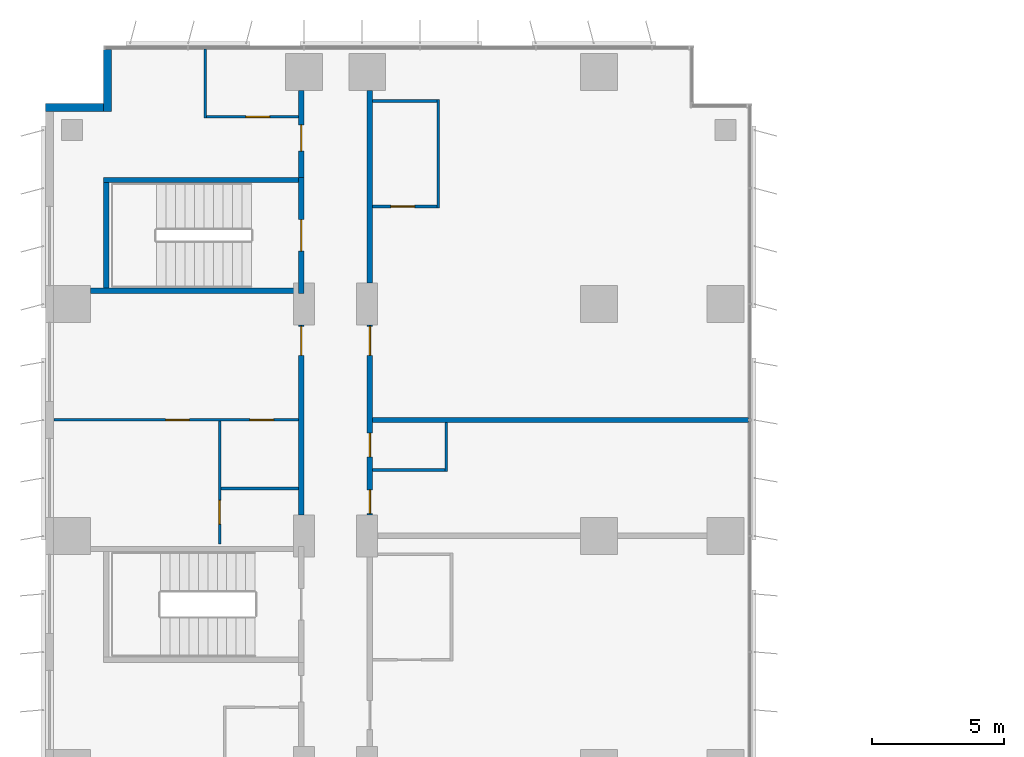
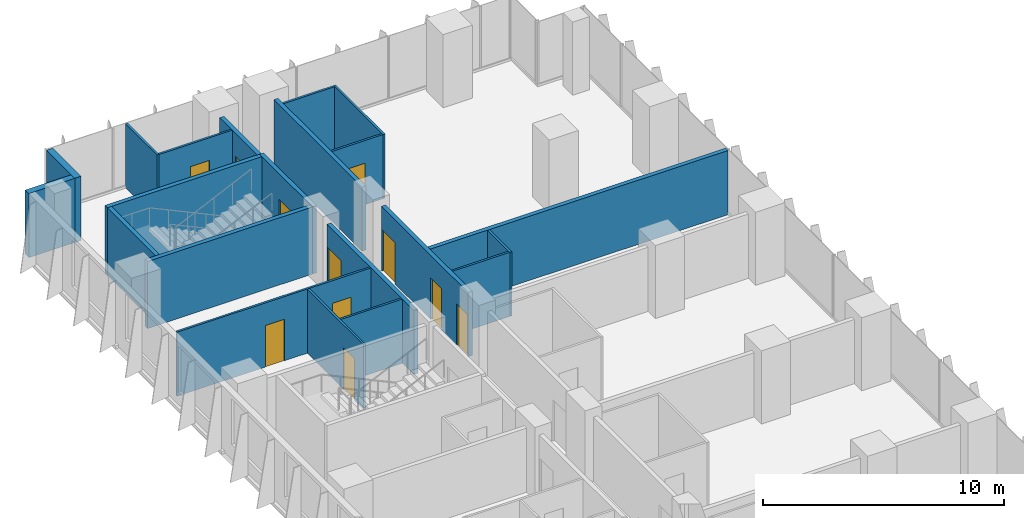
# One storey, part 19 of 24: 21 walls, 11 doors, 11 openings.
"""IFC4 building model written with IfcOpenShell, lengths in metres."""

from ifc_helpers import new_model, si_unit, direction, frame, frame_2d, origin, place, context, subcontext, project, spatial, rectangle, extrude, material, layer, layer_set, type_object, element, fill, save


model = new_model("IFC4")

# Units and contexts
model_context = context("Model", 3, precision=1e-05, world=origin(), true_north=direction((0.0, 1.0)))
body_context = subcontext(model_context, "Body", "Model", "MODEL_VIEW")
ifc_project = project(units=[si_unit("LENGTHUNIT", "METRE"), si_unit("AREAUNIT", "SQUARE_METRE"), si_unit("VOLUMEUNIT", "CUBIC_METRE"), si_unit("PLANEANGLEUNIT", "RADIAN"), si_unit("MASSUNIT", "GRAM", prefix="KILO")], contexts=[model_context])

# Site, building, storey
site_placement = place(None, origin())
site = spatial("IfcSite", under=ifc_project, at=site_placement, CompositionType="ELEMENT")
building_placement = place(site_placement, origin())
building = spatial("IfcBuilding", under=site, at=building_placement, Name="Kemantara Hotel Tower", CompositionType="ELEMENT")
storey_placement = place(building_placement, frame((0.0, 0.0, 79.699951171875)))
storey = spatial("IfcBuildingStorey", under=building, at=storey_placement, Name="L18", CompositionType="ELEMENT", Elevation=79.699951171875)

# Walls
ifc_material_1 = material(Name="Bronze anodised aluminium cladding on insulated steel stud wall", Category="steel")
ifc_layer_1 = layer(ifc_material_1, 0.300048828125)
ifc_layer_set_1 = layer_set([ifc_layer_1], Name="Bronze anodised aluminium cladding on insulated steel stud wall")
wall_type_1 = type_object("IfcWallType", Name="BRONZE METAL-CLAD EXTERNAL WALL 300", PredefinedType="STANDARD", material=ifc_layer_set_1)
wall_1_placement = place(storey_placement, frame((2.35009765625, 81.050048828125, 0.0), z_axis=(0.0, 0.0, 1.0), x_axis=(0.0, -1.0, 0.0)))
element("IfcWall", 1, at=wall_1_placement, inside=storey, type_object=wall_type_1, Name="EXTERNAL WALL L18 T1-R12", PredefinedType="STANDARD", context=body_context, shape_type="SweptSolid", body=[
    extrude(rectangle(XDim=2.35009765625, YDim=0.300048828125, at=frame_2d((1.175048828125, 0.0))), origin(), (0.0, 0.0, 1.0), 3.25),
])
wall_2_placement = place(storey_placement, frame((2.199951171875, 78.85009765625, 0.0), z_axis=(0.0, 0.0, 1.0), x_axis=(-1.0, 0.0, 0.0)))
element("IfcWall", 2, at=wall_2_placement, inside=storey, type_object=wall_type_1, Name="EXTERNAL WALL L18 T1-R13", PredefinedType="STANDARD", context=body_context, shape_type="SweptSolid", body=[
    extrude(rectangle(XDim=2.199951171875, YDim=0.300048828125, at=frame_2d((1.10009765625, 0.0))), origin(), (0.0, 0.0, 1.0), 3.25),
])

# Wall, opening, door
ifc_material_2 = material(Name="Gypsum board partition, steel studs and mineral wool, 200 mm", Category="steel")
ifc_layer_2 = layer(ifc_material_2, 0.199951171875)
ifc_layer_set_2 = layer_set([ifc_layer_2], Name="Gypsum board partition, steel studs and mineral wool, 200 mm")
wall_type_2 = type_object("IfcWallType", Name="CORRIDOR WALL 200", PredefinedType="PARTITIONING", material=ifc_layer_set_2)
wall_3_placement = place(storey_placement, frame((9.699951171875, 63.400146484375, 0.0), z_axis=(0.0, 0.0, 1.0), x_axis=(0.0, 1.0, 0.0)))
wall_3 = element("IfcWall", 3, at=wall_3_placement, inside=storey, type_object=wall_type_2, Name="CORRIDOR WALL 200 032", PredefinedType="PARTITIONING", context=body_context, shape_type="SweptSolid", body=[
    extrude(rectangle(XDim=7.19970703125, YDim=0.199951171875, at=frame_2d((3.599853515625, 0.0))), origin(), (0.0, 0.0, 1.0), 3.25),
])
opening_1_placement = place(wall_3_placement, frame((6.0498046875, 0.0, 0.0)))
opening_1 = element("IfcOpeningElement", 4, at=opening_1_placement, cuts=wall_3, Name="Opening F06-046", PredefinedType="OPENING", context=body_context, shape_type="SweptSolid", body=[
    extrude(rectangle(XDim=1.10009765625, YDim=2.10009765625, at=frame_2d((0.550048828125, 1.050048828125))), frame((0.0, 0.10986328125, 0.0), z_axis=(0.0, -1.0, 0.0), x_axis=(1.0, 0.0, 0.0)), (0.0, 0.0, 1.0), 0.219970703125),
])
ifc_material_3 = material(Name="Hardwood veneer door leaf with steel frame", Category="steel")
door_type_1 = type_object("IfcDoorType", Name="SUITE ENTRANCE DOOR 1100 X 2100 FD30S", OperationType="NOTDEFINED", PredefinedType="DOOR", material=ifc_material_3)
door_1_placement = place(opening_1_placement, origin())
door_1 = element("IfcDoor", 5, at=door_1_placement, inside=storey, type_object=door_type_1, Name="SUITE ENTRANCE DOOR F06-046", OperationType="SINGLE_SWING_RIGHT", OverallHeight=2.10009765625, OverallWidth=1.10009765625, PredefinedType="DOOR", context=body_context, shape_type="SweptSolid", body=[
    extrude(rectangle(XDim=1.10009765625, YDim=2.10009765625, at=frame_2d((0.550048828125, 1.050048828125))), frame((0.0, 0.02490234375, 0.0), z_axis=(0.0, -1.0, 0.0), x_axis=(1.0, 0.0, 0.0)), (0.0, 0.0, 1.0), 0.050048828125),
])
fill(opening_1, door_1)

wall_4_placement = place(storey_placement, frame((9.699951171875, 76.199951171875, 0.0), z_axis=(0.0, 0.0, 1.0), x_axis=(0.0, 1.0, 0.0)))
wall_4 = element("IfcWall", 6, at=wall_4_placement, inside=storey, type_object=wall_type_2, Name="CORRIDOR WALL 200 033", PredefinedType="PARTITIONING", context=body_context, shape_type="SweptSolid", body=[
    extrude(rectangle(XDim=3.300048828125, YDim=0.199951171875, at=frame_2d((1.64990234375, 0.0))), origin(), (0.0, 0.0, 1.0), 3.25),
])
opening_2_placement = place(wall_4_placement, frame((1.0, 0.0, 0.0)))
opening_2 = element("IfcOpeningElement", 7, at=opening_2_placement, cuts=wall_4, Name="Opening F06-050", PredefinedType="OPENING", context=body_context, shape_type="SweptSolid", body=[
    extrude(rectangle(XDim=1.0, YDim=2.10009765625, at=frame_2d((0.5, 1.050048828125))), frame((0.0, 0.10986328125, 0.0), z_axis=(0.0, -1.0, 0.0), x_axis=(1.0, 0.0, 0.0)), (0.0, 0.0, 1.0), 0.219970703125),
])
door_type_2 = type_object("IfcDoorType", Name="GUEST ROOM DOOR 1000 X 2100 FD30S", OperationType="NOTDEFINED", PredefinedType="DOOR", material=ifc_material_3)
door_2_placement = place(opening_2_placement, origin())
door_2 = element("IfcDoor", 8, at=door_2_placement, inside=storey, type_object=door_type_2, Name="GUEST ROOM DOOR F06-050", OperationType="SINGLE_SWING_LEFT", OverallHeight=2.10009765625, OverallWidth=1.0, PredefinedType="DOOR", context=body_context, shape_type="SweptSolid", body=[
    extrude(rectangle(XDim=1.0, YDim=2.10009765625, at=frame_2d((0.5, 1.050048828125))), frame((0.0, 0.02490234375, 0.0), z_axis=(0.0, -1.0, 0.0), x_axis=(1.0, 0.0, 0.0)), (0.0, 0.0, 1.0), 0.050048828125),
])
fill(opening_2, door_2)

# Wall, openings, doors
wall_5_placement = place(storey_placement, frame((12.300048828125, 70.599853515625, 0.0), z_axis=(0.0, 0.0, 1.0), x_axis=(0.0, -1.0, 0.0)))
wall_5 = element("IfcWall", 9, at=wall_5_placement, inside=storey, type_object=wall_type_2, Name="CORRIDOR WALL 200 049", PredefinedType="PARTITIONING", context=body_context, shape_type="SweptSolid", body=[
    extrude(rectangle(XDim=7.19970703125, YDim=0.199951171875, at=frame_2d((3.599853515625, 0.0))), origin(), (0.0, 0.0, 1.0), 3.25),
])
opening_3_placement = place(wall_5_placement, frame((6.25, 0.0, 0.0)))
opening_3 = element("IfcOpeningElement", 10, at=opening_3_placement, cuts=wall_5, Name="Opening F06-062", PredefinedType="OPENING", context=body_context, shape_type="SweptSolid", body=[
    extrude(rectangle(XDim=0.89990234375, YDim=2.10009765625, at=frame_2d((0.449951171875, 1.050048828125))), frame((0.0, 0.10986328125, 0.0), z_axis=(0.0, -1.0, 0.0), x_axis=(1.0, 0.0, 0.0)), (0.0, 0.0, 1.0), 0.219970703125),
])
opening_4_placement = place(wall_5_placement, frame((4.099853515625, 0.0, 0.0)))
opening_4 = element("IfcOpeningElement", 11, at=opening_4_placement, cuts=wall_5, Name="Opening F06-063", PredefinedType="OPENING", context=body_context, shape_type="SweptSolid", body=[
    extrude(rectangle(XDim=0.89990234375, YDim=2.10009765625, at=frame_2d((0.449951171875, 1.050048828125))), frame((0.0, 0.10986328125, 0.0), z_axis=(0.0, -1.0, 0.0), x_axis=(1.0, 0.0, 0.0)), (0.0, 0.0, 1.0), 0.219970703125),
])
opening_5_placement = place(wall_5_placement, frame((0.0498046875, 0.0, 0.0)))
opening_5 = element("IfcOpeningElement", 12, at=opening_5_placement, cuts=wall_5, Name="Opening F06-064", PredefinedType="OPENING", context=body_context, shape_type="SweptSolid", body=[
    extrude(rectangle(XDim=1.10009765625, YDim=2.10009765625, at=frame_2d((0.550048828125, 1.050048828125))), frame((0.0, 0.10986328125, 0.0), z_axis=(0.0, -1.0, 0.0), x_axis=(1.0, 0.0, 0.0)), (0.0, 0.0, 1.0), 0.219970703125),
])
ifc_material_4 = material(Name="Steel door leaf with steel frame", Category="steel")
door_type_3 = type_object("IfcDoorType", Name="SERVICE ROOM DOOR 900 X 2100 FD60", OperationType="NOTDEFINED", PredefinedType="DOOR", material=ifc_material_4)
door_3_placement = place(opening_3_placement, origin())
door_3 = element("IfcDoor", 13, at=door_3_placement, inside=storey, type_object=door_type_3, Name="SERVICE ROOM DOOR F06-062", OperationType="SINGLE_SWING_RIGHT", OverallHeight=2.10009765625, OverallWidth=0.89990234375, PredefinedType="DOOR", context=body_context, shape_type="SweptSolid", body=[
    extrude(rectangle(XDim=0.89990234375, YDim=2.10009765625, at=frame_2d((0.449951171875, 1.050048828125))), frame((0.0, 0.02490234375, 0.0), z_axis=(0.0, -1.0, 0.0), x_axis=(1.0, 0.0, 0.0)), (0.0, 0.0, 1.0), 0.050048828125),
])
fill(opening_3, door_3)
door_4_placement = place(opening_4_placement, origin())
door_4 = element("IfcDoor", 14, at=door_4_placement, inside=storey, type_object=door_type_3, Name="SERVICE ROOM DOOR F06-063", OperationType="SINGLE_SWING_LEFT", OverallHeight=2.10009765625, OverallWidth=0.89990234375, PredefinedType="DOOR", context=body_context, shape_type="SweptSolid", body=[
    extrude(rectangle(XDim=0.89990234375, YDim=2.10009765625, at=frame_2d((0.449951171875, 1.050048828125))), frame((0.0, 0.02490234375, 0.0), z_axis=(0.0, -1.0, 0.0), x_axis=(1.0, 0.0, 0.0)), (0.0, 0.0, 1.0), 0.050048828125),
])
fill(opening_4, door_4)
door_5_placement = place(opening_5_placement, origin())
door_5 = element("IfcDoor", 15, at=door_5_placement, inside=storey, type_object=door_type_1, Name="SUITE ENTRANCE DOOR F06-064", OperationType="SINGLE_SWING_RIGHT", OverallHeight=2.10009765625, OverallWidth=1.10009765625, PredefinedType="DOOR", context=body_context, shape_type="SweptSolid", body=[
    extrude(rectangle(XDim=1.10009765625, YDim=2.10009765625, at=frame_2d((0.550048828125, 1.050048828125))), frame((0.0, 0.02490234375, 0.0), z_axis=(0.0, -1.0, 0.0), x_axis=(1.0, 0.0, 0.0)), (0.0, 0.0, 1.0), 0.050048828125),
])
fill(opening_5, door_5)

# Wall
wall_6_placement = place(storey_placement, frame((12.300048828125, 72.2001953125, 0.0), z_axis=(0.0, 0.0, 1.0), x_axis=(0.0, 1.0, 0.0)))
element("IfcWall", 16, at=wall_6_placement, inside=storey, type_object=wall_type_2, Name="CORRIDOR WALL 200 050", PredefinedType="PARTITIONING", context=body_context, shape_type="SweptSolid", body=[
    extrude(rectangle(XDim=7.2998046875, YDim=0.199951171875, at=frame_2d((3.64990234375, 0.0))), origin(), (0.0, 0.0, 1.0), 3.25),
])

# Wall, opening, door
ifc_material_5 = material(Name="Concrete fc 40 MPa", Category="concrete")
ifc_layer_3 = layer(ifc_material_5, 0.199951171875)
ifc_layer_set_3 = layer_set([ifc_layer_3], Name="Concrete fc 40 MPa")
wall_type_3 = type_object("IfcWallType", Name="Concrete stair wall 200 mm", PredefinedType="SHEAR", material=ifc_layer_set_3)
wall_7_placement = place(storey_placement, frame((9.699951171875, 71.800048828125, 0.0), z_axis=(0.0, 0.0, 1.0), x_axis=(0.0, 1.0, 0.0)))
wall_7 = element("IfcWall", 17, at=wall_7_placement, inside=storey, type_object=wall_type_3, Name="Stair ST6 enclosure wall with door", PredefinedType="SHEAR", context=body_context, shape_type="SweptSolid", body=[
    extrude(rectangle(XDim=4.39990234375, YDim=0.199951171875, at=frame_2d((2.199951171875, 0.0))), origin(), (0.0, 0.0, 1.0), 3.400146484375),
])
opening_6_placement = place(wall_7_placement, frame((1.60009765625, 0.0, 0.0)))
opening_6 = element("IfcOpeningElement", 18, at=opening_6_placement, cuts=wall_7, Name="Opening ST6-C", PredefinedType="OPENING", context=body_context, shape_type="SweptSolid", body=[
    extrude(rectangle(XDim=1.199951171875, YDim=2.10009765625, at=frame_2d((0.60009765625, 1.050048828125))), frame((0.0, 0.10986328125, 0.0), z_axis=(0.0, -1.0, 0.0), x_axis=(1.0, 0.0, 0.0)), (0.0, 0.0, 1.0), 0.219970703125),
])
ifc_material_6 = material(Name="Steel fire door", Category="steel")
door_type_4 = type_object("IfcDoorType", Name="Fire door FD90 1200 x 2100", OperationType="NOTDEFINED", PredefinedType="DOOR", material=ifc_material_6)
door_6_placement = place(opening_6_placement, origin())
door_6 = element("IfcDoor", 19, at=door_6_placement, inside=storey, type_object=door_type_4, Name="Stair ST6 door", OperationType="SINGLE_SWING_RIGHT", OverallHeight=2.10009765625, OverallWidth=1.199951171875, PredefinedType="DOOR", context=body_context, shape_type="SweptSolid", body=[
    extrude(rectangle(XDim=1.199951171875, YDim=2.10009765625, at=frame_2d((0.60009765625, 1.050048828125))), frame((0.0, 0.02490234375, 0.0), z_axis=(0.0, -1.0, 0.0), x_axis=(1.0, 0.0, 0.0)), (0.0, 0.0, 1.0), 0.050048828125),
])
fill(opening_6, door_6)

# Walls
wall_8_placement = place(storey_placement, frame((2.199951171875, 76.10009765625, 0.0), z_axis=(0.0, 0.0, 1.0), x_axis=(1.0, 0.0, 0.0)))
element("IfcWall", 20, at=wall_8_placement, inside=storey, type_object=wall_type_3, Name="Stair ST6 enclosure wall N", PredefinedType="SHEAR", context=body_context, shape_type="SweptSolid", body=[
    extrude(rectangle(XDim=7.400146484375, YDim=0.199951171875, at=frame_2d((3.7001953125, 0.0))), origin(), (0.0, 0.0, 1.0), 3.400146484375),
])
wall_9_placement = place(storey_placement, frame((1.699951171875, 71.89990234375, 0.0), z_axis=(0.0, 0.0, 1.0), x_axis=(1.0, 0.0, 0.0)))
element("IfcWall", 21, at=wall_9_placement, inside=storey, type_object=wall_type_3, Name="Stair ST6 enclosure wall S", PredefinedType="SHEAR", context=body_context, shape_type="SweptSolid", body=[
    extrude(rectangle(XDim=7.900146484375, YDim=0.199951171875, at=frame_2d((3.9501953125, 0.0))), origin(), (0.0, 0.0, 1.0), 3.400146484375),
])
wall_10_placement = place(storey_placement, frame((2.300048828125, 72.0, 0.0), z_axis=(0.0, 0.0, 1.0), x_axis=(0.0, 1.0, 0.0)))
element("IfcWall", 22, at=wall_10_placement, inside=storey, type_object=wall_type_3, Name="Stair ST6 enclosure wall W", PredefinedType="SHEAR", context=body_context, shape_type="SweptSolid", body=[
    extrude(rectangle(XDim=4.0, YDim=0.199951171875, at=frame_2d((2.0, 0.0))), origin(), (0.0, 0.0, 1.0), 3.400146484375),
])
ifc_layer_4 = layer(ifc_material_2, 0.199951171875)
ifc_layer_set_4 = layer_set([ifc_layer_4], Name="Gypsum board partition, steel studs and mineral wool, 200 mm")
wall_type_4 = type_object("IfcWallType", Name="GUEST ROOM PARTY WALL 200", PredefinedType="PARTITIONING", material=ifc_layer_set_4)
wall_11_placement = place(storey_placement, frame((12.39990234375, 67.0, 0.0), z_axis=(0.0, 0.0, 1.0), x_axis=(1.0, 0.0, 0.0)))
element("IfcWall", 23, at=wall_11_placement, inside=storey, type_object=wall_type_4, Name="GUEST ROOM PARTY WALL 200 057", PredefinedType="PARTITIONING", context=body_context, shape_type="SweptSolid", body=[
    extrude(rectangle(XDim=14.27001953125, YDim=0.199951171875, at=frame_2d((7.135009765625, 0.0))), origin(), (0.0, 0.0, 1.0), 3.25),
])
ifc_material_7 = material(Name="Gypsum board partition on steel studs, 100 mm", Category="steel")
ifc_layer_5 = layer(ifc_material_7, 0.10009765625)
ifc_layer_set_5 = layer_set([ifc_layer_5], Name="Gypsum board partition on steel studs, 100 mm")
wall_type_5 = type_object("IfcWallType", Name="ROOM PARTITION 100", PredefinedType="PARTITIONING", material=ifc_layer_set_5)
wall_12_placement = place(storey_placement, frame((6.050048828125, 78.449951171875, 0.0), z_axis=(0.0, 0.0, 1.0), x_axis=(0.0, 1.0, 0.0)))
element("IfcWall", 24, at=wall_12_placement, inside=storey, type_object=wall_type_5, Name="ROOM PARTITION 100 086", PredefinedType="PARTITIONING", context=body_context, shape_type="SweptSolid", body=[
    extrude(rectangle(XDim=2.6201171875, YDim=0.10009765625, at=frame_2d((1.31005859375, 0.0))), origin(), (0.0, 0.0, 1.0), 3.25),
])

# Wall, opening, door
wall_13_placement = place(storey_placement, frame((6.60009765625, 66.949951171875, 0.0), z_axis=(0.0, 0.0, 1.0), x_axis=(0.0, -1.0, 0.0)))
wall_13 = element("IfcWall", 25, at=wall_13_placement, inside=storey, type_object=wall_type_5, Name="ROOM PARTITION 100 094", PredefinedType="PARTITIONING", context=body_context, shape_type="SweptSolid", body=[
    extrude(rectangle(XDim=4.64990234375, YDim=0.10009765625, at=frame_2d((2.324951171875, 0.0))), origin(), (0.0, 0.0, 1.0), 3.25),
])
opening_7_placement = place(wall_13_placement, frame((3.0, 0.0, 0.0)))
opening_7 = element("IfcOpeningElement", 26, at=opening_7_placement, cuts=wall_13, Name="Opening F06-049", PredefinedType="OPENING", context=body_context, shape_type="SweptSolid", body=[
    extrude(rectangle(XDim=0.89990234375, YDim=2.10009765625, at=frame_2d((0.449951171875, 1.050048828125))), frame((0.0, 0.06005859375, 0.0), z_axis=(0.0, -1.0, 0.0), x_axis=(1.0, 0.0, 0.0)), (0.0, 0.0, 1.0), 0.1201171875),
])
door_type_5 = type_object("IfcDoorType", Name="BATHROOM DOOR 900 X 2100", OperationType="NOTDEFINED", PredefinedType="DOOR", material=ifc_material_3)
door_7_placement = place(opening_7_placement, origin())
door_7 = element("IfcDoor", 27, at=door_7_placement, inside=storey, type_object=door_type_5, Name="BATHROOM DOOR F06-049", OperationType="SINGLE_SWING_LEFT", OverallHeight=2.10009765625, OverallWidth=0.89990234375, PredefinedType="DOOR", context=body_context, shape_type="SweptSolid", body=[
    extrude(rectangle(XDim=0.89990234375, YDim=2.10009765625, at=frame_2d((0.449951171875, 1.050048828125))), frame((0.0, 0.02490234375, 0.0), z_axis=(0.0, -1.0, 0.0), x_axis=(1.0, 0.0, 0.0)), (0.0, 0.0, 1.0), 0.050048828125),
])
fill(opening_7, door_7)

# Wall, openings, doors
wall_14_placement = place(storey_placement, frame((0.31005859375, 67.0, 0.0), z_axis=(0.0, 0.0, 1.0), x_axis=(1.0, 0.0, 0.0)))
wall_14 = element("IfcWall", 28, at=wall_14_placement, inside=storey, type_object=wall_type_5, Name="ROOM PARTITION 100 103", PredefinedType="PARTITIONING", context=body_context, shape_type="SweptSolid", body=[
    extrude(rectangle(XDim=9.2900390625, YDim=0.10009765625, at=frame_2d((4.64501953125, 0.0))), origin(), (0.0, 0.0, 1.0), 3.25),
])
opening_8_placement = place(wall_14_placement, frame((7.43994140625, 0.0, 0.0)))
opening_8 = element("IfcOpeningElement", 29, at=opening_8_placement, cuts=wall_14, Name="Opening F06-047", PredefinedType="OPENING", context=body_context, shape_type="SweptSolid", body=[
    extrude(rectangle(XDim=0.89990234375, YDim=2.10009765625, at=frame_2d((0.449951171875, 1.050048828125))), frame((0.0, 0.06005859375, 0.0), z_axis=(0.0, -1.0, 0.0), x_axis=(1.0, 0.0, 0.0)), (0.0, 0.0, 1.0), 0.1201171875),
])
opening_9_placement = place(wall_14_placement, frame((4.239990234375, 0.0, 0.0)))
opening_9 = element("IfcOpeningElement", 30, at=opening_9_placement, cuts=wall_14, Name="Opening F06-048", PredefinedType="OPENING", context=body_context, shape_type="SweptSolid", body=[
    extrude(rectangle(XDim=0.89990234375, YDim=2.10009765625, at=frame_2d((0.449951171875, 1.050048828125))), frame((0.0, 0.06005859375, 0.0), z_axis=(0.0, -1.0, 0.0), x_axis=(1.0, 0.0, 0.0)), (0.0, 0.0, 1.0), 0.1201171875),
])
door_type_6 = type_object("IfcDoorType", Name="INTERNAL DOOR 900 X 2100", OperationType="NOTDEFINED", PredefinedType="DOOR", material=ifc_material_3)
door_8_placement = place(opening_9_placement, frame((0.89990234375, 0.0, 0.0), z_axis=(0.0, 0.0, 1.0), x_axis=(-1.0, 0.0, 0.0)))
door_8 = element("IfcDoor", 31, at=door_8_placement, inside=storey, type_object=door_type_6, Name="INTERNAL DOOR F06-048", OperationType="SINGLE_SWING_RIGHT", OverallHeight=2.10009765625, OverallWidth=0.89990234375, PredefinedType="DOOR", context=body_context, shape_type="SweptSolid", body=[
    extrude(rectangle(XDim=0.89990234375, YDim=2.10009765625, at=frame_2d((0.449951171875, 1.050048828125))), frame((0.0, 0.02490234375, 0.0), z_axis=(0.0, -1.0, 0.0), x_axis=(1.0, 0.0, 0.0)), (0.0, 0.0, 1.0), 0.050048828125),
])
fill(opening_9, door_8)
door_type_7 = type_object("IfcDoorType", Name="PANTRY DOOR 900 X 2100", OperationType="NOTDEFINED", PredefinedType="DOOR", material=ifc_material_3)
door_9_placement = place(opening_8_placement, origin())
door_9 = element("IfcDoor", 32, at=door_9_placement, inside=storey, type_object=door_type_7, Name="PANTRY DOOR F06-047", OperationType="SINGLE_SWING_RIGHT", OverallHeight=2.10009765625, OverallWidth=0.89990234375, PredefinedType="DOOR", context=body_context, shape_type="SweptSolid", body=[
    extrude(rectangle(XDim=0.89990234375, YDim=2.10009765625, at=frame_2d((0.449951171875, 1.050048828125))), frame((0.0, 0.02490234375, 0.0), z_axis=(0.0, -1.0, 0.0), x_axis=(1.0, 0.0, 0.0)), (0.0, 0.0, 1.0), 0.050048828125),
])
fill(opening_8, door_9)

# Wall
wall_15_placement = place(storey_placement, frame((6.64990234375, 64.39990234375, 0.0), z_axis=(0.0, 0.0, 1.0), x_axis=(1.0, 0.0, 0.0)))
element("IfcWall", 33, at=wall_15_placement, inside=storey, type_object=wall_type_5, Name="ROOM PARTITION 100 104", PredefinedType="PARTITIONING", context=body_context, shape_type="SweptSolid", body=[
    extrude(rectangle(XDim=2.9501953125, YDim=0.10009765625, at=frame_2d((1.47509765625, 0.0))), origin(), (0.0, 0.0, 1.0), 3.25),
])

# Wall, opening, door
wall_16_placement = place(storey_placement, frame((6.10009765625, 78.5, 0.0), z_axis=(0.0, 0.0, 1.0), x_axis=(1.0, 0.0, 0.0)))
wall_16 = element("IfcWall", 34, at=wall_16_placement, inside=storey, type_object=wall_type_5, Name="ROOM PARTITION 100 105", PredefinedType="PARTITIONING", context=body_context, shape_type="SweptSolid", body=[
    extrude(rectangle(XDim=3.5, YDim=0.10009765625, at=frame_2d((1.75, 0.0))), origin(), (0.0, 0.0, 1.0), 3.25),
])
opening_10_placement = place(wall_16_placement, frame((1.5, 0.0, 0.0)))
opening_10 = element("IfcOpeningElement", 35, at=opening_10_placement, cuts=wall_16, Name="Opening F06-051", PredefinedType="OPENING", context=body_context, shape_type="SweptSolid", body=[
    extrude(rectangle(XDim=0.89990234375, YDim=2.10009765625, at=frame_2d((0.449951171875, 1.050048828125))), frame((0.0, 0.06005859375, 0.0), z_axis=(0.0, -1.0, 0.0), x_axis=(1.0, 0.0, 0.0)), (0.0, 0.0, 1.0), 0.1201171875),
])
door_10_placement = place(opening_10_placement, origin())
door_10 = element("IfcDoor", 36, at=door_10_placement, inside=storey, type_object=door_type_5, Name="BATHROOM DOOR F06-051", OperationType="SINGLE_SWING_RIGHT", OverallHeight=2.10009765625, OverallWidth=0.89990234375, PredefinedType="DOOR", context=body_context, shape_type="SweptSolid", body=[
    extrude(rectangle(XDim=0.89990234375, YDim=2.10009765625, at=frame_2d((0.449951171875, 1.050048828125))), frame((0.0, 0.02490234375, 0.0), z_axis=(0.0, -1.0, 0.0), x_axis=(1.0, 0.0, 0.0)), (0.0, 0.0, 1.0), 0.050048828125),
])
fill(opening_10, door_10)

# Walls
wall_17_placement = place(storey_placement, frame((15.199951171875, 65.050048828125, 0.0), z_axis=(0.0, 0.0, 1.0), x_axis=(0.0, 1.0, 0.0)))
element("IfcWall", 37, at=wall_17_placement, inside=storey, type_object=wall_type_5, Name="ROOM PARTITION 100 112", PredefinedType="PARTITIONING", context=body_context, shape_type="SweptSolid", body=[
    extrude(rectangle(XDim=1.849853515625, YDim=0.10009765625, at=frame_2d((0.9248046875, 0.0))), origin(), (0.0, 0.0, 1.0), 3.25),
])
wall_18_placement = place(storey_placement, frame((12.39990234375, 65.10009765625, 0.0), z_axis=(0.0, 0.0, 1.0), x_axis=(1.0, 0.0, 0.0)))
element("IfcWall", 38, at=wall_18_placement, inside=storey, type_object=wall_type_5, Name="ROOM PARTITION 100 120", PredefinedType="PARTITIONING", context=body_context, shape_type="SweptSolid", body=[
    extrude(rectangle(XDim=2.75, YDim=0.10009765625, at=frame_2d((1.375, 0.0))), origin(), (0.0, 0.0, 1.0), 3.25),
])
wall_19_placement = place(storey_placement, frame((14.89990234375, 75.050048828125, 0.0), z_axis=(0.0, 0.0, 1.0), x_axis=(0.0, 1.0, 0.0)))
element("IfcWall", 39, at=wall_19_placement, inside=storey, type_object=wall_type_5, Name="ROOM PARTITION 100 121", PredefinedType="PARTITIONING", context=body_context, shape_type="SweptSolid", body=[
    extrude(rectangle(XDim=4.099853515625, YDim=0.10009765625, at=frame_2d((2.0498046875, 0.0))), origin(), (0.0, 0.0, 1.0), 3.25),
])

# Wall, opening, door
wall_20_placement = place(storey_placement, frame((12.39990234375, 75.10009765625, 0.0), z_axis=(0.0, 0.0, 1.0), x_axis=(1.0, 0.0, 0.0)))
wall_20 = element("IfcWall", 40, at=wall_20_placement, inside=storey, type_object=wall_type_5, Name="ROOM PARTITION 100 122", PredefinedType="PARTITIONING", context=body_context, shape_type="SweptSolid", body=[
    extrude(rectangle(XDim=2.4501953125, YDim=0.10009765625, at=frame_2d((1.22509765625, 0.0))), origin(), (0.0, 0.0, 1.0), 3.25),
])
opening_11_placement = place(wall_20_placement, frame((0.699951171875, 0.0, 0.0)))
opening_11 = element("IfcOpeningElement", 41, at=opening_11_placement, cuts=wall_20, Name="Opening F06-065", PredefinedType="OPENING", context=body_context, shape_type="SweptSolid", body=[
    extrude(rectangle(XDim=0.89990234375, YDim=2.10009765625, at=frame_2d((0.449951171875, 1.050048828125))), frame((0.0, 0.06005859375, 0.0), z_axis=(0.0, -1.0, 0.0), x_axis=(1.0, 0.0, 0.0)), (0.0, 0.0, 1.0), 0.1201171875),
])
door_11_placement = place(opening_11_placement, origin())
door_11 = element("IfcDoor", 42, at=door_11_placement, inside=storey, type_object=door_type_5, Name="BATHROOM DOOR F06-065", OperationType="SINGLE_SWING_LEFT", OverallHeight=2.10009765625, OverallWidth=0.89990234375, PredefinedType="DOOR", context=body_context, shape_type="SweptSolid", body=[
    extrude(rectangle(XDim=0.89990234375, YDim=2.10009765625, at=frame_2d((0.449951171875, 1.050048828125))), frame((0.0, 0.02490234375, 0.0), z_axis=(0.0, -1.0, 0.0), x_axis=(1.0, 0.0, 0.0)), (0.0, 0.0, 1.0), 0.050048828125),
])
fill(opening_11, door_11)

# Wall
wall_21_placement = place(storey_placement, frame((12.39990234375, 79.10009765625, 0.0), z_axis=(0.0, 0.0, 1.0), x_axis=(1.0, 0.0, 0.0)))
element("IfcWall", 43, at=wall_21_placement, inside=storey, type_object=wall_type_5, Name="ROOM PARTITION 100 123", PredefinedType="PARTITIONING", context=body_context, shape_type="SweptSolid", body=[
    extrude(rectangle(XDim=2.4501953125, YDim=0.10009765625, at=frame_2d((1.22509765625, 0.0))), origin(), (0.0, 0.0, 1.0), 3.25),
])

save(model, "model.ifc")
